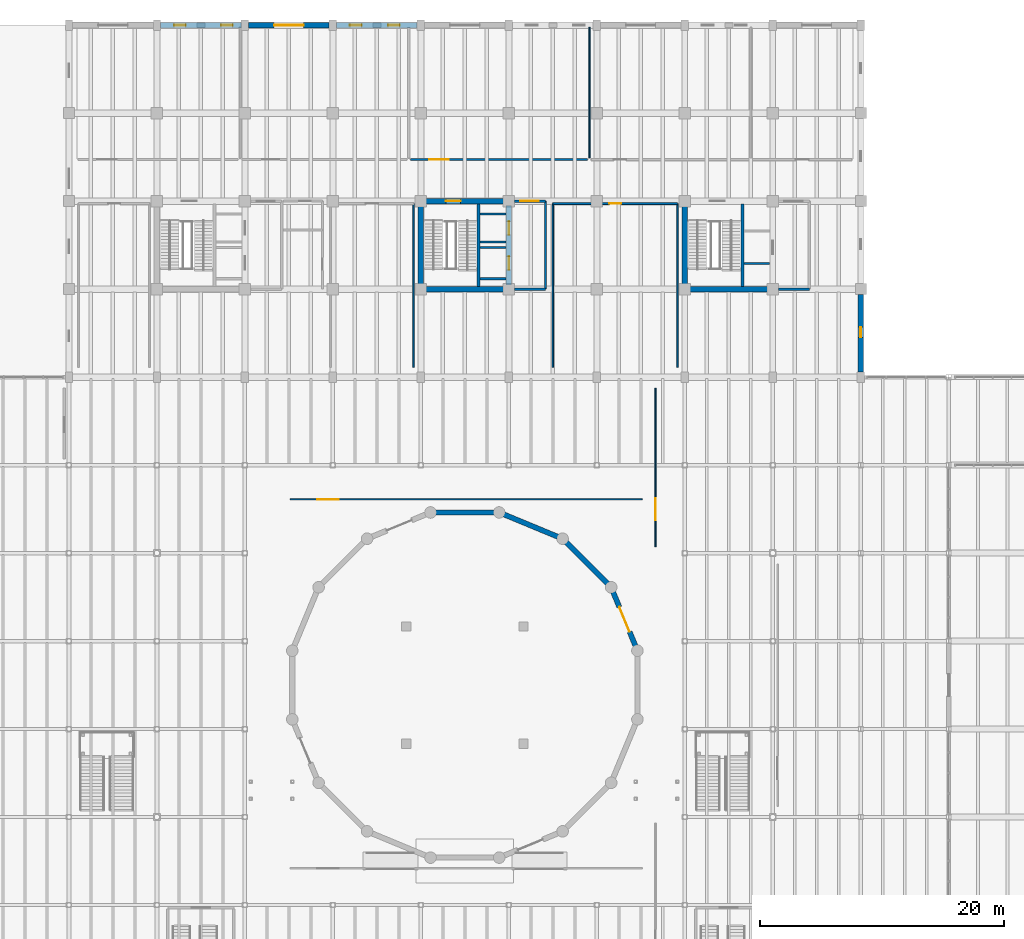
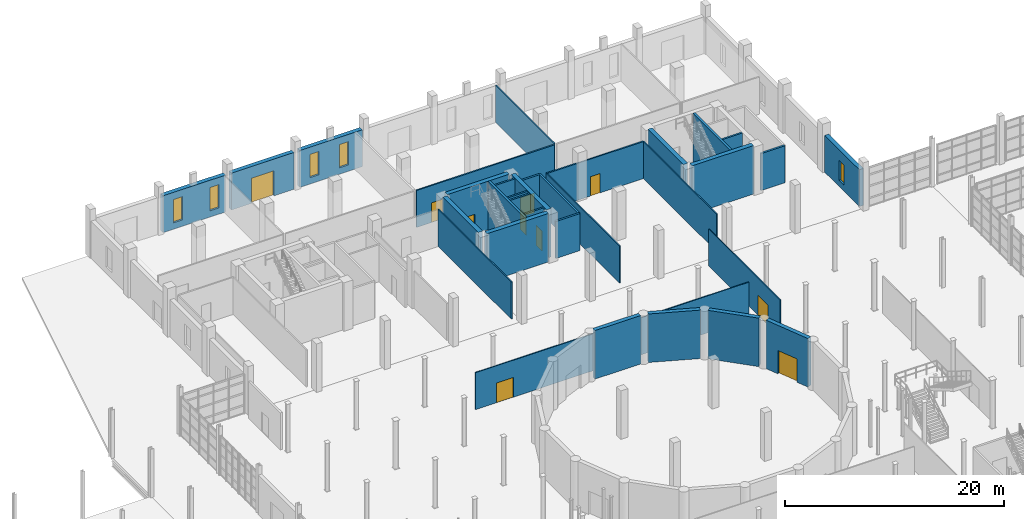
# One storey, part 68 of 79: 33 walls, 10 doors, 5 windows, 15 openings.
"""IFC4 building model written with IfcOpenShell, lengths in metres."""

from ifc_helpers import new_model, si_unit, direction, frame, frame_2d, origin, place, context, subcontext, project, spatial, rectangle, extrude, material, layer, layer_set, type_object, element, fill, save


model = new_model("IFC4")

# Units and contexts
model_context = context("Model", 3, precision=1e-05, world=origin(), true_north=direction((0.0, 1.0)))
body_context = subcontext(model_context, "Body", "Model", "MODEL_VIEW")
ifc_project = project(units=[si_unit("LENGTHUNIT", "METRE"), si_unit("AREAUNIT", "SQUARE_METRE"), si_unit("VOLUMEUNIT", "CUBIC_METRE"), si_unit("PLANEANGLEUNIT", "RADIAN"), si_unit("MASSUNIT", "GRAM", prefix="KILO")], contexts=[model_context])

# Site, building, storey
site_placement = place(None, origin())
site = spatial("IfcSite", under=ifc_project, at=site_placement, CompositionType="ELEMENT")
building_placement = place(site_placement, origin())
building = spatial("IfcBuilding", under=site, at=building_placement, Name="Qiaolan Assembly House", CompositionType="ELEMENT")
storey_placement = place(building_placement, origin())
storey = spatial("IfcBuildingStorey", under=building, at=storey_placement, Name="L00", CompositionType="ELEMENT", Elevation=0.0)

# Wall
ifc_material_1 = material(Name="Concrete C50/60", Category="concrete")
ifc_layer_1 = layer(ifc_material_1, 0.449951171875)
ifc_layer_set_1 = layer_set([ifc_layer_1], Name="Concrete C50/60")
wall_type_1 = type_object("IfcWallType", Name="WAL-CORE-450", PredefinedType="SHEAR", material=ifc_layer_set_1)
wall_1_placement = place(storey_placement, frame((65.14990234375, 93.60009765625, 0.0), z_axis=(0.0, 0.0, 1.0), x_axis=(1.0, 0.0, 0.0)))
element("IfcWall", 1, at=wall_1_placement, inside=storey, type_object=wall_type_1, Name="CW-450 shear core wall CORE-B S L00", PredefinedType="SHEAR", context=body_context, shape_type="SweptSolid", body=[
    extrude(rectangle(XDim=6.5, YDim=0.449951171875, at=frame_2d((3.25, 0.0))), origin(), (0.0, 0.0, 1.0), 5.39990234375),
])

# Wall, openings, doors
wall_2_placement = place(storey_placement, frame((72.0, 93.949951171875, 0.0), z_axis=(0.0, 0.0, 1.0), x_axis=(0.0, 1.0, 0.0)))
wall_2 = element("IfcWall", 2, at=wall_2_placement, inside=storey, type_object=wall_type_1, Name="CW-450 shear core wall CORE-B E L00", PredefinedType="SHEAR", context=body_context, shape_type="SweptSolid", body=[
    extrude(rectangle(XDim=6.5, YDim=0.449951171875, at=frame_2d((3.25, 0.0))), origin(), (0.0, 0.0, 1.0), 5.39990234375),
])
opening_1_placement = place(wall_2_placement, frame((1.22509765625, 0.0, 0.0)))
opening_1 = element("IfcOpeningElement", 3, at=opening_1_placement, cuts=wall_2, Name="Opening LD-020", PredefinedType="OPENING", context=body_context, shape_type="SweptSolid", body=[
    extrude(rectangle(XDim=1.10009765625, YDim=2.199951171875, at=frame_2d((0.550048828125, 1.10009765625))), frame((0.0, 0.23486328125, 0.0), z_axis=(0.0, -1.0, 0.0), x_axis=(1.0, 0.0, 0.0)), (0.0, 0.0, 1.0), 0.469970703125),
])
opening_2_placement = place(wall_2_placement, frame((4.10009765625, 0.0, 0.0)))
opening_2 = element("IfcOpeningElement", 4, at=opening_2_placement, cuts=wall_2, Name="Opening LD-029", PredefinedType="OPENING", context=body_context, shape_type="SweptSolid", body=[
    extrude(rectangle(XDim=1.10009765625, YDim=2.199951171875, at=frame_2d((0.550048828125, 1.10009765625))), frame((0.0, 0.23486328125, 0.0), z_axis=(0.0, -1.0, 0.0), x_axis=(1.0, 0.0, 0.0)), (0.0, 0.0, 1.0), 0.469970703125),
])
ifc_material_2 = material(Name="Anodised bronze aluminium", Category="aluminium")
door_type_1 = type_object("IfcDoorType", Name="DOR-LIFT-LD1100", OperationType="SLIDING_TO_LEFT", PredefinedType="DOOR", material=ifc_material_2)
door_1_placement = place(opening_1_placement, origin())
door_1 = element("IfcDoor", 5, at=door_1_placement, inside=storey, type_object=door_type_1, Name="Lift landing door LD-020 (LF-03 L00)", OperationType="SLIDING_TO_LEFT", OverallHeight=2.199951171875, OverallWidth=1.10009765625, PredefinedType="DOOR", context=body_context, shape_type="SweptSolid", body=[
    extrude(rectangle(XDim=1.10009765625, YDim=2.199951171875, at=frame_2d((0.550048828125, 1.10009765625))), frame((0.0, 0.02490234375, 0.0), z_axis=(0.0, -1.0, 0.0), x_axis=(1.0, 0.0, 0.0)), (0.0, 0.0, 1.0), 0.050048828125),
])
fill(opening_1, door_1)
door_2_placement = place(opening_2_placement, origin())
door_2 = element("IfcDoor", 6, at=door_2_placement, inside=storey, type_object=door_type_1, Name="Lift landing door LD-029 (LF-04 L00)", OperationType="SLIDING_TO_LEFT", OverallHeight=2.199951171875, OverallWidth=1.10009765625, PredefinedType="DOOR", context=body_context, shape_type="SweptSolid", body=[
    extrude(rectangle(XDim=1.10009765625, YDim=2.199951171875, at=frame_2d((0.550048828125, 1.10009765625))), frame((0.0, 0.02490234375, 0.0), z_axis=(0.0, -1.0, 0.0), x_axis=(1.0, 0.0, 0.0)), (0.0, 0.0, 1.0), 0.050048828125),
])
fill(opening_2, door_2)

# Wall, opening, door
wall_3_placement = place(storey_placement, frame((71.64990234375, 100.800048828125, 0.0), z_axis=(0.0, 0.0, 1.0), x_axis=(-1.0, 0.0, 0.0)))
wall_3 = element("IfcWall", 7, at=wall_3_placement, inside=storey, type_object=wall_type_1, Name="CW-450 shear core wall CORE-B N L00", PredefinedType="SHEAR", context=body_context, shape_type="SweptSolid", body=[
    extrude(rectangle(XDim=6.5, YDim=0.449951171875, at=frame_2d((3.25, 0.0))), origin(), (0.0, 0.0, 1.0), 5.39990234375),
])
opening_3_placement = place(wall_3_placement, frame((3.60009765625, 0.0, 0.0)))
opening_3 = element("IfcOpeningElement", 8, at=opening_3_placement, cuts=wall_3, Name="Opening FD-037", PredefinedType="OPENING", context=body_context, shape_type="SweptSolid", body=[
    extrude(rectangle(XDim=1.199951171875, YDim=2.199951171875, at=frame_2d((0.60009765625, 1.10009765625))), frame((0.0, 0.23486328125, 0.0), z_axis=(0.0, -1.0, 0.0), x_axis=(1.0, 0.0, 0.0)), (0.0, 0.0, 1.0), 0.469970703125),
])
ifc_material_3 = material(Name="Steel Q355B", Category="steel")
door_type_2 = type_object("IfcDoorType", Name="DOR-FIRE-FD90-1200", OperationType="NOTDEFINED", PredefinedType="DOOR", material=ifc_material_3)
door_3_placement = place(opening_3_placement, frame((1.199951171875, 0.0, 0.0), z_axis=(0.0, 0.0, 1.0), x_axis=(-1.0, 0.0, 0.0)))
door_3 = element("IfcDoor", 9, at=door_3_placement, inside=storey, type_object=door_type_2, Name="Stairwell fire door FD-037 (CORE-B L00)", OperationType="SINGLE_SWING_RIGHT", OverallHeight=2.199951171875, OverallWidth=1.199951171875, PredefinedType="DOOR", context=body_context, shape_type="SweptSolid", body=[
    extrude(rectangle(XDim=1.199951171875, YDim=2.199951171875, at=frame_2d((0.60009765625, 1.10009765625))), frame((0.0, 0.02490234375, 0.0), z_axis=(0.0, -1.0, 0.0), x_axis=(1.0, 0.0, 0.0)), (0.0, 0.0, 1.0), 0.050048828125),
])
fill(opening_3, door_3)

# Walls
for number, where, z_axis, x_axis, name in (
    (10, (64.800048828125, 100.449951171875, 0.0), (0.0, 0.0, 1.0), (0.0, -1.0, 0.0), "CW-450 shear core wall CORE-B W L00"),
    (11, (86.75, 93.60009765625, 0.0), (0.0, 0.0, 1.0), (1.0, 0.0, 0.0), "CW-450 shear core wall CORE-G S L00"),
    (12, (86.39990234375, 100.449951171875, 0.0), (0.0, 0.0, 1.0), (0.0, -1.0, 0.0), "CW-450 shear core wall CORE-G W L00"),
):
    element("IfcWall", number, at=place(storey_placement, frame(where, z_axis=z_axis, x_axis=x_axis)), inside=storey, type_object=wall_type_1, Name=name, PredefinedType="SHEAR", context=body_context, shape_type="SweptSolid", body=[
        extrude(rectangle(XDim=6.5, YDim=0.449951171875, at=frame_2d((3.25, 0.0))), origin(), (0.0, 0.0, 1.0), 5.39990234375),
    ])

# Wall, opening, door
ifc_layer_2 = layer(ifc_material_1, 0.419921875)
ifc_layer_set_2 = layer_set([ifc_layer_2], Name="Concrete C50/60")
wall_type_2 = type_object("IfcWallType", Name="WAL-DRUM-420", PredefinedType="SHEAR", material=ifc_layer_set_2)
wall_4_placement = place(storey_placement, frame((80.526123046875, 68.83056640625, 0.0), z_axis=(0.0, 0.0, 1.0), x_axis=(0.382693375129, -0.923875414021, 0.0)))
wall_4 = element("IfcWall", 13, at=wall_4_placement, inside=storey, type_object=wall_type_2, Name="DW-420 council chamber drum wall 1 L00", PredefinedType="SHEAR", context=body_context, shape_type="SweptSolid", body=[
    extrude(rectangle(XDim=4.818359375, YDim=0.419921875, at=frame_2d((2.4091796875, 0.0))), origin(), (0.0, 0.0, 1.0), 5.39990234375),
])
opening_4_placement = place(wall_4_placement, frame((1.35009765625, 0.0, 0.0)))
opening_4 = element("IfcOpeningElement", 14, at=opening_4_placement, cuts=wall_4, Name="Opening CD-142", PredefinedType="OPENING", context=body_context, shape_type="SweptSolid", body=[
    extrude(rectangle(XDim=2.199951171875, YDim=2.60009765625, at=frame_2d((1.10009765625, 1.300048828125))), frame((0.0, 0.219970703125, 0.0), z_axis=(0.0, -1.0, 0.0), x_axis=(1.0, 0.0, 0.0)), (0.0, 0.0, 1.0), 0.43994140625),
])
ifc_material_4 = material(Name="Acoustic oak panelling")
door_type_3 = type_object("IfcDoorType", Name="DOR-CHAMBER-2200", OperationType="DOUBLE_DOOR_SINGLE_SWING", PredefinedType="DOOR", material=ifc_material_4)
door_4_placement = place(opening_4_placement, origin())
door_4 = element("IfcDoor", 15, at=door_4_placement, inside=storey, type_object=door_type_3, Name="Council Chamber ceremonial acoustic door CD-142", OperationType="DOUBLE_DOOR_SINGLE_SWING", OverallHeight=2.60009765625, OverallWidth=2.199951171875, PredefinedType="DOOR", context=body_context, shape_type="SweptSolid", body=[
    extrude(rectangle(XDim=2.199951171875, YDim=2.60009765625, at=frame_2d((1.10009765625, 1.300048828125))), frame((0.0, 0.02490234375, 0.0), z_axis=(0.0, -1.0, 0.0), x_axis=(1.0, 0.0, 0.0)), (0.0, 0.0, 1.0), 0.050048828125),
])
fill(opening_4, door_4)

# Walls
for number, where, z_axis, x_axis, name in (
    (16, (76.68310546875, 72.890380859375, 0.0), (0.0, 0.0, 1.0), (0.707106781187, -0.707106781187, 0.0), "DW-420 council chamber drum wall 2 L00"),
    (17, (71.578857421875, 75.170166015625, 0.0), (0.0, 0.0, 1.0), (0.923882834003, -0.382675461762, 0.0), "DW-420 council chamber drum wall 3 L00"),
    (18, (65.99072265625, 75.3232421875, 0.0), (0.0, 0.0, 1.0), (1.0, 0.0, 0.0), "DW-420 council chamber drum wall 4 L00"),
):
    element("IfcWall", number, at=place(storey_placement, frame(where, z_axis=z_axis, x_axis=x_axis)), inside=storey, type_object=wall_type_2, Name=name, PredefinedType="SHEAR", context=body_context, shape_type="SweptSolid", body=[
        extrude(rectangle(XDim=4.818603515625, YDim=0.419921875, at=frame_2d((2.4091796875, 0.0))), origin(), (0.0, 0.0, 1.0), 5.39990234375),
    ])

# Wall, openings, windows
ifc_material_5 = material(Name="Honed pale limestone", Category="masonry")
ifc_layer_3 = layer(ifc_material_5, 0.43505859375)
ifc_layer_set_3 = layer_set([ifc_layer_3], Name="Honed pale limestone")
wall_type_3 = type_object("IfcWallType", Name="WAL-EXT-RUSTIC-420", PredefinedType="SOLIDWALL", material=ifc_layer_set_3)
wall_5_placement = place(storey_placement, frame((50.10205078125, 115.199951171875, 0.0), z_axis=(0.0, 0.0, 1.0), x_axis=(-1.0, 0.0, 0.0)))
wall_5 = element("IfcWall", 19, at=wall_5_placement, inside=storey, type_object=wall_type_3, Name="EW-420 NW North street wall L00 bay 2", PredefinedType="SOLIDWALL", context=body_context, shape_type="SweptSolid", body=[
    extrude(rectangle(XDim=6.60400390625, YDim=0.43505859375, at=frame_2d((3.302001953125, 0.0))), origin(), (0.0, 0.0, 1.0), 4.10009765625),
])
opening_5_placement = place(wall_5_placement, frame((0.701904296875, 0.0, 0.699951171875)))
opening_5 = element("IfcOpeningElement", 20, at=opening_5_placement, cuts=wall_5, Name="Opening WN-001", PredefinedType="OPENING", context=body_context, shape_type="SweptSolid", body=[
    extrude(rectangle(XDim=0.949951171875, YDim=2.60009765625, at=frame_2d((0.47509765625, 1.300048828125))), frame((0.0, 0.2275390625, 0.0), z_axis=(0.0, -1.0, 0.0), x_axis=(1.0, 0.0, 0.0)), (0.0, 0.0, 1.0), 0.455078125),
])
opening_6_placement = place(wall_5_placement, frame((4.552001953125, 0.0, 0.699951171875)))
opening_6 = element("IfcOpeningElement", 21, at=opening_6_placement, cuts=wall_5, Name="Opening WN-002", PredefinedType="OPENING", context=body_context, shape_type="SweptSolid", body=[
    extrude(rectangle(XDim=0.949951171875, YDim=2.60009765625, at=frame_2d((0.47509765625, 1.300048828125))), frame((0.0, 0.2275390625, 0.0), z_axis=(0.0, -1.0, 0.0), x_axis=(1.0, 0.0, 0.0)), (0.0, 0.0, 1.0), 0.455078125),
])
ifc_material_6 = material(Name="Low-E double insulating glass", Category="glass")
window_type_1 = type_object("IfcWindowType", Name="WIN-PUNCH-950x2600", PartitioningType="SINGLE_PANEL", PredefinedType="WINDOW", material=ifc_material_6)
window_1_placement = place(opening_5_placement, origin())
window_1 = element("IfcWindow", 22, at=window_1_placement, inside=storey, type_object=window_type_1, Name="WN-T03 window WN-001", OverallHeight=2.60009765625, OverallWidth=0.949951171875, PartitioningType="SINGLE_PANEL", PredefinedType="WINDOW", context=body_context, shape_type="SweptSolid", body=[
    extrude(rectangle(XDim=0.949951171875, YDim=2.60009765625, at=frame_2d((0.47509765625, 1.300048828125))), frame((0.0, 0.030029296875, 0.0), z_axis=(0.0, -1.0, 0.0), x_axis=(1.0, 0.0, 0.0)), (0.0, 0.0, 1.0), 0.06005859375),
])
fill(opening_5, window_1)
window_2_placement = place(opening_6_placement, origin())
window_2 = element("IfcWindow", 23, at=window_2_placement, inside=storey, type_object=window_type_1, Name="WN-T03 window WN-002", OverallHeight=2.60009765625, OverallWidth=0.949951171875, PartitioningType="SINGLE_PANEL", PredefinedType="WINDOW", context=body_context, shape_type="SweptSolid", body=[
    extrude(rectangle(XDim=0.949951171875, YDim=2.60009765625, at=frame_2d((0.47509765625, 1.300048828125))), frame((0.0, 0.030029296875, 0.0), z_axis=(0.0, -1.0, 0.0), x_axis=(1.0, 0.0, 0.0)), (0.0, 0.0, 1.0), 0.06005859375),
])
fill(opening_6, window_2)

# Wall, opening, door
wall_6_placement = place(storey_placement, frame((57.302001953125, 115.199951171875, 0.0), z_axis=(0.0, 0.0, 1.0), x_axis=(-1.0, 0.0, 0.0)))
wall_6 = element("IfcWall", 24, at=wall_6_placement, inside=storey, type_object=wall_type_3, Name="EW-420 NW North street wall L00 bay 3", PredefinedType="SOLIDWALL", context=body_context, shape_type="SweptSolid", body=[
    extrude(rectangle(XDim=6.60400390625, YDim=0.43505859375, at=frame_2d((3.302001953125, 0.0))), origin(), (0.0, 0.0, 1.0), 4.10009765625),
])
opening_7_placement = place(wall_6_placement, frame((2.10205078125, 0.0, 0.0)))
opening_7 = element("IfcOpeningElement", 25, at=opening_7_placement, cuts=wall_6, Name="Opening ED-002", PredefinedType="OPENING", context=body_context, shape_type="SweptSolid", body=[
    extrude(rectangle(XDim=2.39990234375, YDim=2.800048828125, at=frame_2d((1.199951171875, 1.39990234375))), frame((0.0, 0.2275390625, 0.0), z_axis=(0.0, -1.0, 0.0), x_axis=(1.0, 0.0, 0.0)), (0.0, 0.0, 1.0), 0.455078125),
])
door_type_4 = type_object("IfcDoorType", Name="DOR-ENTRY-MON-2400", OperationType="DOUBLE_DOOR_SINGLE_SWING", PredefinedType="DOOR", material=ifc_material_2)
door_5_placement = place(opening_7_placement, frame((2.39990234375, 0.0, 0.0), z_axis=(0.0, 0.0, 1.0), x_axis=(-1.0, 0.0, 0.0)))
door_5 = element("IfcDoor", 26, at=door_5_placement, inside=storey, type_object=door_type_4, Name="North Avenue civic entrance door ED-002", OperationType="DOUBLE_DOOR_SINGLE_SWING", OverallHeight=2.800048828125, OverallWidth=2.39990234375, PredefinedType="DOOR", context=body_context, shape_type="SweptSolid", body=[
    extrude(rectangle(XDim=2.39990234375, YDim=2.800048828125, at=frame_2d((1.199951171875, 1.39990234375))), frame((0.0, 0.02490234375, 0.0), z_axis=(0.0, -1.0, 0.0), x_axis=(1.0, 0.0, 0.0)), (0.0, 0.0, 1.0), 0.050048828125),
])
fill(opening_7, door_5)

# Wall, openings, windows
wall_7_placement = place(storey_placement, frame((64.501953125, 115.199951171875, 0.0), z_axis=(0.0, 0.0, 1.0), x_axis=(-1.0, 0.0, 0.0)))
wall_7 = element("IfcWall", 27, at=wall_7_placement, inside=storey, type_object=wall_type_3, Name="EW-420 NW North street wall L00 bay 4", PredefinedType="SOLIDWALL", context=body_context, shape_type="SweptSolid", body=[
    extrude(rectangle(XDim=6.60400390625, YDim=0.43505859375, at=frame_2d((3.302001953125, 0.0))), origin(), (0.0, 0.0, 1.0), 4.10009765625),
])
opening_8_placement = place(wall_7_placement, frame((1.4375, 0.0, 0.699951171875)))
opening_8 = element("IfcOpeningElement", 28, at=opening_8_placement, cuts=wall_7, Name="Opening WN-003", PredefinedType="OPENING", context=body_context, shape_type="SweptSolid", body=[
    extrude(rectangle(XDim=0.949951171875, YDim=2.60009765625, at=frame_2d((0.47509765625, 1.300048828125))), frame((0.0, 0.2275390625, 0.0), z_axis=(0.0, -1.0, 0.0), x_axis=(1.0, 0.0, 0.0)), (0.0, 0.0, 1.0), 0.455078125),
])
opening_9_placement = place(wall_7_placement, frame((4.552001953125, 0.0, 0.699951171875)))
opening_9 = element("IfcOpeningElement", 29, at=opening_9_placement, cuts=wall_7, Name="Opening WN-004", PredefinedType="OPENING", context=body_context, shape_type="SweptSolid", body=[
    extrude(rectangle(XDim=0.949951171875, YDim=2.60009765625, at=frame_2d((0.47509765625, 1.300048828125))), frame((0.0, 0.2275390625, 0.0), z_axis=(0.0, -1.0, 0.0), x_axis=(1.0, 0.0, 0.0)), (0.0, 0.0, 1.0), 0.455078125),
])
window_3_placement = place(opening_8_placement, origin())
window_3 = element("IfcWindow", 30, at=window_3_placement, inside=storey, type_object=window_type_1, Name="WN-T03 window WN-003", OverallHeight=2.60009765625, OverallWidth=0.949951171875, PartitioningType="SINGLE_PANEL", PredefinedType="WINDOW", context=body_context, shape_type="SweptSolid", body=[
    extrude(rectangle(XDim=0.949951171875, YDim=2.60009765625, at=frame_2d((0.47509765625, 1.300048828125))), frame((0.0, 0.030029296875, 0.0), z_axis=(0.0, -1.0, 0.0), x_axis=(1.0, 0.0, 0.0)), (0.0, 0.0, 1.0), 0.06005859375),
])
fill(opening_8, window_3)
window_4_placement = place(opening_9_placement, origin())
window_4 = element("IfcWindow", 31, at=window_4_placement, inside=storey, type_object=window_type_1, Name="WN-T03 window WN-004", OverallHeight=2.60009765625, OverallWidth=0.949951171875, PartitioningType="SINGLE_PANEL", PredefinedType="WINDOW", context=body_context, shape_type="SweptSolid", body=[
    extrude(rectangle(XDim=0.949951171875, YDim=2.60009765625, at=frame_2d((0.47509765625, 1.300048828125))), frame((0.0, 0.030029296875, 0.0), z_axis=(0.0, -1.0, 0.0), x_axis=(1.0, 0.0, 0.0)), (0.0, 0.0, 1.0), 0.06005859375),
])
fill(opening_9, window_4)

# Wall, opening, window
wall_8_placement = place(storey_placement, frame((100.800048828125, 93.152099609375, 0.0), z_axis=(0.0, 0.0, 1.0), x_axis=(0.0, -1.0, 0.0)))
wall_8 = element("IfcWall", 32, at=wall_8_placement, inside=storey, type_object=wall_type_3, Name="NW East wall L00-1", PredefinedType="SOLIDWALL", context=body_context, shape_type="SweptSolid", body=[
    extrude(rectangle(XDim=6.3291015625, YDim=0.43505859375, at=frame_2d((3.16455078125, 0.0))), origin(), (0.0, 0.0, 1.0), 4.10009765625),
])
opening_10_placement = place(wall_8_placement, frame((2.652099609375, 0.0, 0.699951171875)))
opening_10 = element("IfcOpeningElement", 33, at=opening_10_placement, cuts=wall_8, Name="Opening WN-010", PredefinedType="OPENING", context=body_context, shape_type="SweptSolid", body=[
    extrude(rectangle(XDim=0.85009765625, YDim=2.199951171875, at=frame_2d((0.425048828125, 1.10009765625))), frame((0.0, 0.2275390625, 0.0), z_axis=(0.0, -1.0, 0.0), x_axis=(1.0, 0.0, 0.0)), (0.0, 0.0, 1.0), 0.455078125),
])
window_type_2 = type_object("IfcWindowType", Name="WIN-END-850x2200", PartitioningType="SINGLE_PANEL", PredefinedType="WINDOW", material=ifc_material_6)
window_5_placement = place(opening_10_placement, origin())
window_5 = element("IfcWindow", 34, at=window_5_placement, inside=storey, type_object=window_type_2, Name="NW East window WN-010", OverallHeight=2.199951171875, OverallWidth=0.85009765625, PartitioningType="SINGLE_PANEL", PredefinedType="WINDOW", context=body_context, shape_type="SweptSolid", body=[
    extrude(rectangle(XDim=0.85009765625, YDim=2.199951171875, at=frame_2d((0.425048828125, 1.10009765625))), frame((0.0, 0.030029296875, 0.0), z_axis=(0.0, -1.0, 0.0), x_axis=(1.0, 0.0, 0.0)), (0.0, 0.0, 1.0), 0.06005859375),
])
fill(opening_10, window_5)

# Walls
ifc_material_7 = material(Name="Concrete C35/45", Category="concrete")
ifc_layer_4 = layer(ifc_material_7, 0.199951171875)
ifc_layer_set_4 = layer_set([ifc_layer_4], Name="Concrete C35/45")
wall_type_4 = type_object("IfcWallType", Name="WAL-LOBBY-200", PredefinedType="PARTITIONING", material=ifc_layer_set_4)
wall_9_placement = place(storey_placement, frame((75.0, 93.60009765625, 0.0), z_axis=(0.0, 0.0, 1.0), x_axis=(0.0, 1.0, 0.0)))
element("IfcWall", 35, at=wall_9_placement, inside=storey, type_object=wall_type_4, Name="Firefighting lift lobby east wall CORE-B L00", PredefinedType="PARTITIONING", context=body_context, shape_type="SweptSolid", body=[
    extrude(rectangle(XDim=7.199951171875, YDim=0.199951171875, at=frame_2d((3.60009765625, 0.0))), origin(), (0.0, 0.0, 1.0), 4.1201171875),
])
wall_10_placement = place(storey_placement, frame((72.47998046875, 93.60009765625, 0.0), z_axis=(0.0, 0.0, 1.0), x_axis=(1.0, 0.0, 0.0)))
element("IfcWall", 36, at=wall_10_placement, inside=storey, type_object=wall_type_4, Name="Firefighting lift lobby south wall CORE-B L00", PredefinedType="PARTITIONING", context=body_context, shape_type="SweptSolid", body=[
    extrude(rectangle(XDim=2.52001953125, YDim=0.199951171875, at=frame_2d((1.260009765625, 0.0))), origin(), (0.0, 0.0, 1.0), 4.1201171875),
])

# Wall, opening, door
wall_11_placement = place(storey_placement, frame((75.0, 100.800048828125, 0.0), z_axis=(0.0, 0.0, 1.0), x_axis=(-1.0, 0.0, 0.0)))
wall_11 = element("IfcWall", 37, at=wall_11_placement, inside=storey, type_object=wall_type_4, Name="Firefighting lift lobby north wall CORE-B L00", PredefinedType="PARTITIONING", context=body_context, shape_type="SweptSolid", body=[
    extrude(rectangle(XDim=2.52001953125, YDim=0.199951171875, at=frame_2d((1.260009765625, 0.0))), origin(), (0.0, 0.0, 1.0), 4.1201171875),
])
opening_11_placement = place(wall_11_placement, frame((0.550048828125, 0.0, 0.0)))
opening_11 = element("IfcOpeningElement", 38, at=opening_11_placement, cuts=wall_11, Name="Opening FD-038", PredefinedType="OPENING", context=body_context, shape_type="SweptSolid", body=[
    extrude(rectangle(XDim=1.5, YDim=2.199951171875, at=frame_2d((0.75, 1.10009765625))), frame((0.0, 0.10986328125, 0.0), z_axis=(0.0, -1.0, 0.0), x_axis=(1.0, 0.0, 0.0)), (0.0, 0.0, 1.0), 0.219970703125),
])
door_type_5 = type_object("IfcDoorType", Name="DOR-LOBBY-FD60-1500", OperationType="DOUBLE_DOOR_SINGLE_SWING", PredefinedType="DOOR", material=ifc_material_4)
door_6_placement = place(opening_11_placement, frame((1.5, 0.0, 0.0), z_axis=(0.0, 0.0, 1.0), x_axis=(-1.0, 0.0, 0.0)))
door_6 = element("IfcDoor", 39, at=door_6_placement, inside=storey, type_object=door_type_5, Name="Lobby corridor fire door FD-038", OperationType="DOUBLE_DOOR_SINGLE_SWING", OverallHeight=2.199951171875, OverallWidth=1.5, PredefinedType="DOOR", context=body_context, shape_type="SweptSolid", body=[
    extrude(rectangle(XDim=1.5, YDim=2.199951171875, at=frame_2d((0.75, 1.10009765625))), frame((0.0, 0.02490234375, 0.0), z_axis=(0.0, -1.0, 0.0), x_axis=(1.0, 0.0, 0.0)), (0.0, 0.0, 1.0), 0.050048828125),
])
fill(opening_11, door_6)

# Walls
wall_12_placement = place(storey_placement, frame((94.080078125, 93.60009765625, 0.0), z_axis=(0.0, 0.0, 1.0), x_axis=(1.0, 0.0, 0.0)))
element("IfcWall", 40, at=wall_12_placement, inside=storey, type_object=wall_type_4, Name="Firefighting lift lobby south wall CORE-G L00", PredefinedType="PARTITIONING", context=body_context, shape_type="SweptSolid", body=[
    extrude(rectangle(XDim=2.52001953125, YDim=0.199951171875, at=frame_2d((1.260009765625, 0.0))), origin(), (0.0, 0.0, 1.0), 4.1201171875),
])
ifc_material_8 = material(Name="Gypsum plasterboard partition")
ifc_layer_5 = layer(ifc_material_8, 0.1201171875)
ifc_layer_set_5 = layer_set([ifc_layer_5], Name="Gypsum plasterboard partition")
wall_type_5 = type_object("IfcWallType", Name="WAL-PART-120", PredefinedType="PARTITIONING", material=ifc_layer_set_5)
wall_13_placement = place(storey_placement, frame((78.60009765625, 104.35009765625, 0.0), z_axis=(0.0, 0.0, 1.0), x_axis=(0.0, 1.0, 0.0)))
element("IfcWall", 41, at=wall_13_placement, inside=storey, type_object=wall_type_5, Name="Public Printing, Records & Permits Counter demising wall", PredefinedType="PARTITIONING", context=body_context, shape_type="SweptSolid", body=[
    extrude(rectangle(XDim=10.669921875, YDim=0.1201171875, at=frame_2d((5.3349609375, 0.0))), origin(), (0.0, 0.0, 1.0), 4.1201171875),
])
for number, where, z_axis, x_axis, name in (
    (42, (64.199951171875, 100.60009765625, 0.0), (0.0, 0.0, 1.0), (0.0, -1.0, 0.0), "Citizen Legal Aid & Ombudsman Consultation east wall"),
    (43, (75.60009765625, 87.199951171875, 0.0), (0.0, 0.0, 1.0), (0.0, 1.0, 0.0), "Notary & Business Licensing Back-Office west wall"),
    (44, (85.800048828125, 100.60009765625, 0.0), (0.0, 0.0, 1.0), (0.0, -1.0, 0.0), "Notary & Business Licensing Back-Office east wall"),
):
    element("IfcWall", number, at=place(storey_placement, frame(where, z_axis=z_axis, x_axis=x_axis)), inside=storey, type_object=wall_type_5, Name=name, PredefinedType="PARTITIONING", context=body_context, shape_type="SweptSolid", body=[
        extrude(rectangle(XDim=13.400146484375, YDim=0.1201171875, at=frame_2d((6.7001953125, 0.0))), origin(), (0.0, 0.0, 1.0), 4.1201171875),
    ])

# Wall, opening, door
ifc_layer_6 = layer(ifc_material_8, 0.14990234375)
ifc_layer_set_6 = layer_set([ifc_layer_6], Name="Gypsum plasterboard partition")
wall_type_6 = type_object("IfcWallType", Name="WAL-PART-150", PredefinedType="PARTITIONING", material=ifc_layer_set_6)
wall_14_placement = place(storey_placement, frame((63.949951171875, 104.199951171875, 0.0), z_axis=(0.0, 0.0, 1.0), x_axis=(1.0, 0.0, 0.0)))
wall_14 = element("IfcWall", 45, at=wall_14_placement, inside=storey, type_object=wall_type_6, Name="Citizen Consultation & Mediation Suite corridor wall", PredefinedType="PARTITIONING", context=body_context, shape_type="SweptSolid", body=[
    extrude(rectangle(XDim=14.5, YDim=0.14990234375, at=frame_2d((7.25, 0.0))), origin(), (0.0, 0.0, 1.0), 4.1201171875),
])
opening_12_placement = place(wall_14_placement, frame((1.550048828125, 0.0, 0.0)))
opening_12 = element("IfcOpeningElement", 46, at=opening_12_placement, cuts=wall_14, Name="Opening ND-177", PredefinedType="OPENING", context=body_context, shape_type="SweptSolid", body=[
    extrude(rectangle(XDim=1.60009765625, YDim=2.199951171875, at=frame_2d((0.800048828125, 1.10009765625))), frame((0.0, 0.0849609375, 0.0), z_axis=(0.0, -1.0, 0.0), x_axis=(1.0, 0.0, 0.0)), (0.0, 0.0, 1.0), 0.169921875),
])
door_type_6 = type_object("IfcDoorType", Name="DOR-COMM-DBL-1600", OperationType="DOUBLE_DOOR_SINGLE_SWING", PredefinedType="DOOR", material=ifc_material_4)
door_7_placement = place(opening_12_placement, origin())
door_7 = element("IfcDoor", 47, at=door_7_placement, inside=storey, type_object=door_type_6, Name="Citizen Consultation & Mediation Suite door ND-177", OperationType="DOUBLE_DOOR_SINGLE_SWING", OverallHeight=2.199951171875, OverallWidth=1.60009765625, PredefinedType="DOOR", context=body_context, shape_type="SweptSolid", body=[
    extrude(rectangle(XDim=1.60009765625, YDim=2.199951171875, at=frame_2d((0.800048828125, 1.10009765625))), frame((0.0, 0.02490234375, 0.0), z_axis=(0.0, -1.0, 0.0), x_axis=(1.0, 0.0, 0.0)), (0.0, 0.0, 1.0), 0.050048828125),
])
fill(opening_12, door_7)

wall_15_placement = place(storey_placement, frame((85.800048828125, 100.60009765625, 0.0), z_axis=(0.0, 0.0, 1.0), x_axis=(-1.0, 0.0, 0.0)))
wall_15 = element("IfcWall", 48, at=wall_15_placement, inside=storey, type_object=wall_type_6, Name="Notary & Business Licensing Back-Office corridor wall", PredefinedType="PARTITIONING", context=body_context, shape_type="SweptSolid", body=[
    extrude(rectangle(XDim=10.199951171875, YDim=0.14990234375, at=frame_2d((5.10009765625, 0.0))), origin(), (0.0, 0.0, 1.0), 4.1201171875),
])
opening_13_placement = place(wall_15_placement, frame((4.60009765625, 0.0, 0.0)))
opening_13 = element("IfcOpeningElement", 49, at=opening_13_placement, cuts=wall_15, Name="Opening SD-182", PredefinedType="OPENING", context=body_context, shape_type="SweptSolid", body=[
    extrude(rectangle(XDim=1.0, YDim=2.14990234375, at=frame_2d((0.5, 1.074951171875))), frame((0.0, 0.0849609375, 0.0), z_axis=(0.0, -1.0, 0.0), x_axis=(1.0, 0.0, 0.0)), (0.0, 0.0, 1.0), 0.169921875),
])
door_type_7 = type_object("IfcDoorType", Name="DOR-OFF-SGL-1000", OperationType="NOTDEFINED", PredefinedType="DOOR", material=ifc_material_4)
door_8_placement = place(opening_13_placement, origin())
door_8 = element("IfcDoor", 50, at=door_8_placement, inside=storey, type_object=door_type_7, Name="Notary & Business Licensing Back-Office door SD-182", OperationType="SINGLE_SWING_RIGHT", OverallHeight=2.14990234375, OverallWidth=1.0, PredefinedType="DOOR", context=body_context, shape_type="SweptSolid", body=[
    extrude(rectangle(XDim=1.0, YDim=2.14990234375, at=frame_2d((0.5, 1.074951171875))), frame((0.0, 0.02490234375, 0.0), z_axis=(0.0, -1.0, 0.0), x_axis=(1.0, 0.0, 0.0)), (0.0, 0.0, 1.0), 0.050048828125),
])
fill(opening_13, door_8)

ifc_layer_7 = layer(ifc_material_6, 0.10498046875)
ifc_layer_set_7 = layer_set([ifc_layer_7], Name="Low-E double insulating glass")
wall_type_7 = type_object("IfcWallType", Name="WAL-PART-GLAZED-120", PredefinedType="PARTITIONING", material=ifc_layer_set_7)
wall_16_placement = place(storey_placement, frame((54.10009765625, 76.39990234375, 0.0), z_axis=(0.0, 0.0, 1.0), x_axis=(1.0, 0.0, 0.0)))
wall_16 = element("IfcWall", 51, at=wall_16_placement, inside=storey, type_object=wall_type_7, Name="Municipal History & Civic Charter Gallery partition wall", PredefinedType="PARTITIONING", context=body_context, shape_type="SweptSolid", body=[
    extrude(rectangle(XDim=28.7998046875, YDim=0.10498046875, at=frame_2d((14.39990234375, 0.0))), origin(), (0.0, 0.0, 1.0), 4.1201171875),
])
opening_14_placement = place(wall_16_placement, frame((2.199951171875, 0.0, 0.0)))
opening_14 = element("IfcOpeningElement", 52, at=opening_14_placement, cuts=wall_16, Name="Opening GD-155", PredefinedType="OPENING", context=body_context, shape_type="SweptSolid", body=[
    extrude(rectangle(XDim=1.800048828125, YDim=2.199951171875, at=frame_2d((0.89990234375, 1.10009765625))), frame((0.0, 0.0625, 0.0), z_axis=(0.0, -1.0, 0.0), x_axis=(1.0, 0.0, 0.0)), (0.0, 0.0, 1.0), 0.125),
])
door_type_8 = type_object("IfcDoorType", Name="DOR-CORR-DBL-1800", OperationType="DOUBLE_DOOR_SINGLE_SWING", PredefinedType="DOOR", material=ifc_material_2)
door_9_placement = place(opening_14_placement, origin())
door_9 = element("IfcDoor", 53, at=door_9_placement, inside=storey, type_object=door_type_8, Name="Municipal History & Civic Charter Gallery door GD-155", OperationType="DOUBLE_DOOR_SINGLE_SWING", OverallHeight=2.199951171875, OverallWidth=1.800048828125, PredefinedType="DOOR", context=body_context, shape_type="SweptSolid", body=[
    extrude(rectangle(XDim=1.800048828125, YDim=2.199951171875, at=frame_2d((0.89990234375, 1.10009765625))), frame((0.0, 0.02490234375, 0.0), z_axis=(0.0, -1.0, 0.0), x_axis=(1.0, 0.0, 0.0)), (0.0, 0.0, 1.0), 0.050048828125),
])
fill(opening_14, door_9)

wall_17_placement = place(storey_placement, frame((84.0, 72.5, 0.0), z_axis=(0.0, 0.0, 1.0), x_axis=(0.0, 1.0, 0.0)))
wall_17 = element("IfcWall", 54, at=wall_17_placement, inside=storey, type_object=wall_type_7, Name="Civic Courtyard Cafe & Visitor Lounge partition wall", PredefinedType="PARTITIONING", context=body_context, shape_type="SweptSolid", body=[
    extrude(rectangle(XDim=13.0, YDim=0.10498046875, at=frame_2d((6.5, 0.0))), origin(), (0.0, 0.0, 1.0), 4.1201171875),
])
opening_15_placement = place(wall_17_placement, frame((2.199951171875, 0.0, 0.0)))
opening_15 = element("IfcOpeningElement", 55, at=opening_15_placement, cuts=wall_17, Name="Opening GD-158", PredefinedType="OPENING", context=body_context, shape_type="SweptSolid", body=[
    extrude(rectangle(XDim=1.800048828125, YDim=2.199951171875, at=frame_2d((0.89990234375, 1.10009765625))), frame((0.0, 0.0625, 0.0), z_axis=(0.0, -1.0, 0.0), x_axis=(1.0, 0.0, 0.0)), (0.0, 0.0, 1.0), 0.125),
])
door_10_placement = place(opening_15_placement, origin())
door_10 = element("IfcDoor", 56, at=door_10_placement, inside=storey, type_object=door_type_8, Name="Civic Courtyard Cafe & Visitor Lounge door GD-158", OperationType="DOUBLE_DOOR_SINGLE_SWING", OverallHeight=2.199951171875, OverallWidth=1.800048828125, PredefinedType="DOOR", context=body_context, shape_type="SweptSolid", body=[
    extrude(rectangle(XDim=1.800048828125, YDim=2.199951171875, at=frame_2d((0.89990234375, 1.10009765625))), frame((0.0, 0.02490234375, 0.0), z_axis=(0.0, -1.0, 0.0), x_axis=(1.0, 0.0, 0.0)), (0.0, 0.0, 1.0), 0.050048828125),
])
fill(opening_15, door_10)

# Walls
ifc_layer_8 = layer(ifc_material_7, 0.18505859375)
ifc_layer_set_8 = layer_set([ifc_layer_8], Name="Concrete C35/45")
wall_type_8 = type_object("IfcWallType", Name="WAL-SHAFT-200", PredefinedType="PARTITIONING", material=ifc_layer_set_8)
for number, where, z_axis, x_axis, name in (
    (57, (69.64990234375, 94.449951171875, 0.0), (0.0, 0.0, 1.0), (1.0, 0.0, 0.0), "SW-200 lift shaft wall LF-03 L00 DIVS"),
    (58, (69.64990234375, 97.0, 0.0), (0.0, 0.0, 1.0), (1.0, 0.0, 0.0), "SW-200 lift shaft wall LF-03 L00 DIVN"),
    (59, (69.64990234375, 97.449951171875, 0.0), (0.0, 0.0, 1.0), (1.0, 0.0, 0.0), "SW-200 lift shaft wall LF-04 L00 DIVS"),
    (60, (69.64990234375, 99.75, 0.0), (0.0, 0.0, 1.0), (1.0, 0.0, 0.0), "SW-200 lift shaft wall LF-04 L00 DIVN"),
    (61, (91.25, 95.699951171875, 0.0), (0.0, 0.0, 1.0), (1.0, 0.0, 0.0), "SW-200 lift shaft wall LF-05 L00 DIVS"),
):
    element("IfcWall", number, at=place(storey_placement, frame(where, z_axis=z_axis, x_axis=x_axis)), inside=storey, type_object=wall_type_8, Name=name, PredefinedType="PARTITIONING", context=body_context, shape_type="SweptSolid", body=[
        extrude(rectangle(XDim=2.10009765625, YDim=0.18505859375, at=frame_2d((1.050048828125, 0.0))), origin(), (0.0, 0.0, 1.0), 5.39990234375),
    ])
ifc_material_9 = material(Name="Concrete C40/50", Category="concrete")
ifc_layer_9 = layer(ifc_material_9, 0.22509765625)
ifc_layer_set_9 = layer_set([ifc_layer_9], Name="Concrete C40/50")
wall_type_9 = type_object("IfcWallType", Name="WAL-STAIR-DIV-225", PredefinedType="SHEAR", material=ifc_layer_set_9)
for number, where, z_axis, x_axis, name in (
    (62, (69.52001953125, 93.820068359375, 0.0), (0.0, 0.0, 1.0), (0.0, 1.0, 0.0), "SDW-225 stairwell structural spine wall CORE-B L00"),
    (63, (91.1201171875, 93.820068359375, 0.0), (0.0, 0.0, 1.0), (0.0, 1.0, 0.0), "SDW-225 stairwell structural spine wall CORE-G L00"),
):
    element("IfcWall", number, at=place(storey_placement, frame(where, z_axis=z_axis, x_axis=x_axis)), inside=storey, type_object=wall_type_9, Name=name, PredefinedType="SHEAR", context=body_context, shape_type="SweptSolid", body=[
        extrude(rectangle(XDim=6.760009765625, YDim=0.22509765625, at=frame_2d((3.3798828125, 0.0))), origin(), (0.0, 0.0, 1.0), 5.39990234375),
    ])

save(model, "model.ifc")
